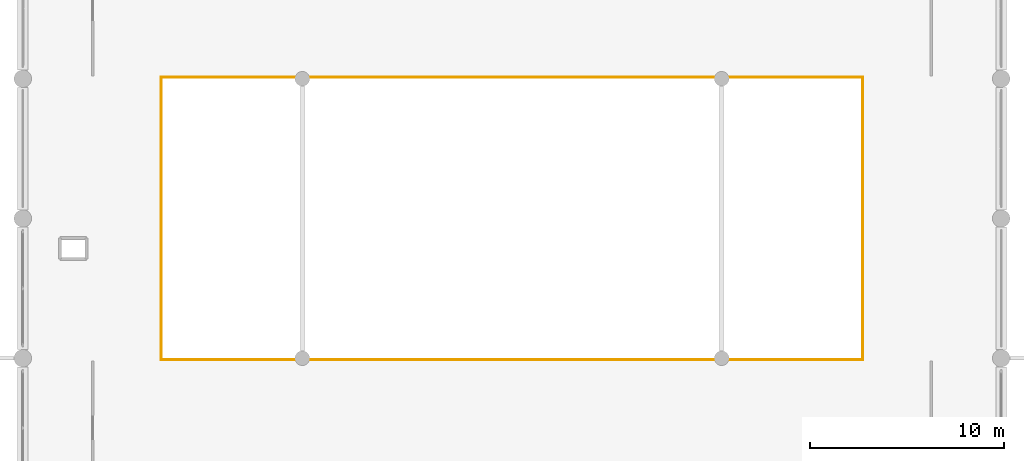
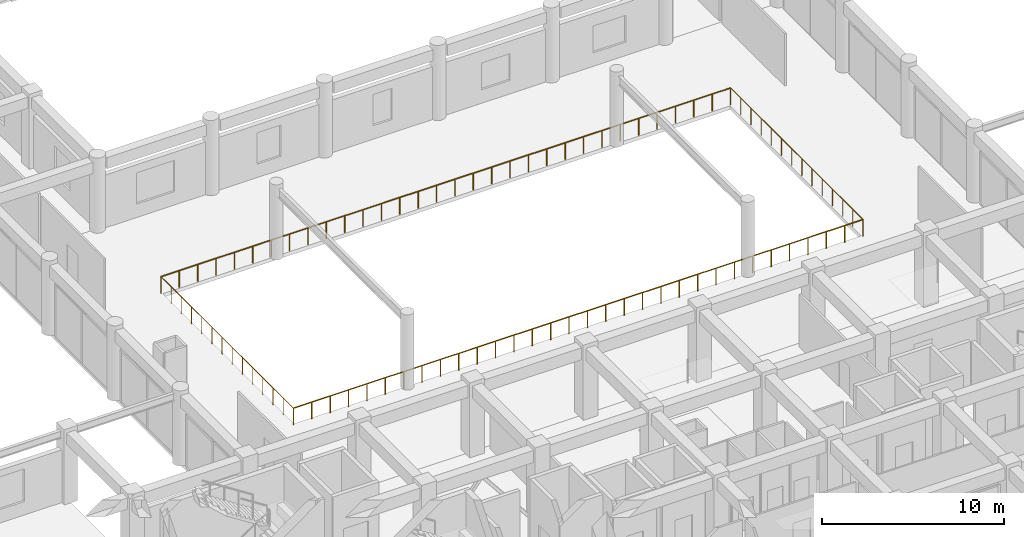
# One storey, part 52 of 54: 4 railings.
"""IFC4 building model written with IfcOpenShell, lengths in metres."""

from ifc_helpers import new_model, si_unit, direction, frame, origin, origin_2d, place, context, subcontext, project, spatial, circle, extrude, material, type_object, element, save


model = new_model("IFC4")

# Units and contexts
model_context = context("Model", 3, precision=1e-05, world=origin(), true_north=direction((0.0, 1.0)))
body_context = subcontext(model_context, "Body", "Model", "MODEL_VIEW")
ifc_project = project(units=[si_unit("LENGTHUNIT", "METRE"), si_unit("AREAUNIT", "SQUARE_METRE"), si_unit("VOLUMEUNIT", "CUBIC_METRE"), si_unit("PLANEANGLEUNIT", "RADIAN"), si_unit("MASSUNIT", "GRAM", prefix="KILO")], contexts=[model_context])

# Site, building, storey
site_placement = place(None, origin())
site = spatial("IfcSite", under=ifc_project, at=site_placement, CompositionType="ELEMENT")
building_placement = place(site_placement, origin())
building = spatial("IfcBuilding", under=site, at=building_placement, Name="Kazehaya Institute of Natural Sciences", CompositionType="ELEMENT")
storey_placement = place(building_placement, frame((0.0, 0.0, 5.39990234375)))
storey = spatial("IfcBuildingStorey", under=building, at=storey_placement, Name="L01", CompositionType="ELEMENT", Elevation=5.39990234375)

# Railings
ifc_material = material(Name="Structural steel SN490B", Category="steel")
railing_type = type_object("IfcRailingType", Name="RL-GUARD-VOID", PredefinedType="GUARDRAIL", material=ifc_material)
railing_1_placement = place(storey_placement, frame((68.919921875, 42.719970703125, 0.0)))
element("IfcRailing", 1, at=railing_1_placement, inside=storey, type_object=railing_type, Name="L01 void guard GRD-L01-033", PredefinedType="GUARDRAIL", context=body_context, shape_type="SweptSolid", body=[
    extrude(circle(Radius=0.02392578125, at=origin_2d()), frame((0.0, 0.0, 1.1259765625), z_axis=(1.0, 0.0, 0.0), x_axis=(0.0, 1.0, 0.0)), (0.0, 0.0, 1.0), 36.16015625),
    extrude(circle(Radius=0.02099609375, at=origin_2d()), origin(), (0.0, 0.0, 1.0), 1.101806640625),
    extrude(circle(Radius=0.02099609375, at=origin_2d()), frame((1.16650390625, 0.0, 0.0)), (0.0, 0.0, 1.0), 1.101806640625),
    extrude(circle(Radius=0.02099609375, at=origin_2d()), frame((2.3330078125, 0.0, 0.0)), (0.0, 0.0, 1.0), 1.101806640625),
    extrude(circle(Radius=0.02099609375, at=origin_2d()), frame((3.499267578125, 0.0, 0.0)), (0.0, 0.0, 1.0), 1.101806640625),
    extrude(circle(Radius=0.02099609375, at=origin_2d()), frame((4.665771484375, 0.0, 0.0)), (0.0, 0.0, 1.0), 1.101806640625),
    extrude(circle(Radius=0.02099609375, at=origin_2d()), frame((5.832275390625, 0.0, 0.0)), (0.0, 0.0, 1.0), 1.101806640625),
    extrude(circle(Radius=0.02099609375, at=origin_2d()), frame((6.998779296875, 0.0, 0.0)), (0.0, 0.0, 1.0), 1.101806640625),
    extrude(circle(Radius=0.02099609375, at=origin_2d()), frame((8.165283203125, 0.0, 0.0)), (0.0, 0.0, 1.0), 1.101806640625),
    extrude(circle(Radius=0.02099609375, at=origin_2d()), frame((9.33154296875, 0.0, 0.0)), (0.0, 0.0, 1.0), 1.101806640625),
    extrude(circle(Radius=0.02099609375, at=origin_2d()), frame((10.498046875, 0.0, 0.0)), (0.0, 0.0, 1.0), 1.101806640625),
    extrude(circle(Radius=0.02099609375, at=origin_2d()), frame((11.66455078125, 0.0, 0.0)), (0.0, 0.0, 1.0), 1.101806640625),
    extrude(circle(Radius=0.02099609375, at=origin_2d()), frame((12.8310546875, 0.0, 0.0)), (0.0, 0.0, 1.0), 1.101806640625),
    extrude(circle(Radius=0.02099609375, at=origin_2d()), frame((13.99755859375, 0.0, 0.0)), (0.0, 0.0, 1.0), 1.101806640625),
    extrude(circle(Radius=0.02099609375, at=origin_2d()), frame((15.163818359375, 0.0, 0.0)), (0.0, 0.0, 1.0), 1.101806640625),
    extrude(circle(Radius=0.02099609375, at=origin_2d()), frame((16.330322265625, 0.0, 0.0)), (0.0, 0.0, 1.0), 1.101806640625),
    extrude(circle(Radius=0.02099609375, at=origin_2d()), frame((17.496826171875, 0.0, 0.0)), (0.0, 0.0, 1.0), 1.101806640625),
    extrude(circle(Radius=0.02099609375, at=origin_2d()), frame((18.663330078125, 0.0, 0.0)), (0.0, 0.0, 1.0), 1.101806640625),
    extrude(circle(Radius=0.02099609375, at=origin_2d()), frame((19.829833984375, 0.0, 0.0)), (0.0, 0.0, 1.0), 1.101806640625),
    extrude(circle(Radius=0.02099609375, at=origin_2d()), frame((20.996337890625, 0.0, 0.0)), (0.0, 0.0, 1.0), 1.101806640625),
    extrude(circle(Radius=0.02099609375, at=origin_2d()), frame((22.16259765625, 0.0, 0.0)), (0.0, 0.0, 1.0), 1.101806640625),
    extrude(circle(Radius=0.02099609375, at=origin_2d()), frame((23.3291015625, 0.0, 0.0)), (0.0, 0.0, 1.0), 1.101806640625),
    extrude(circle(Radius=0.02099609375, at=origin_2d()), frame((24.49560546875, 0.0, 0.0)), (0.0, 0.0, 1.0), 1.101806640625),
    extrude(circle(Radius=0.02099609375, at=origin_2d()), frame((25.662109375, 0.0, 0.0)), (0.0, 0.0, 1.0), 1.101806640625),
    extrude(circle(Radius=0.02099609375, at=origin_2d()), frame((26.82861328125, 0.0, 0.0)), (0.0, 0.0, 1.0), 1.101806640625),
    extrude(circle(Radius=0.02099609375, at=origin_2d()), frame((27.994873046875, 0.0, 0.0)), (0.0, 0.0, 1.0), 1.101806640625),
    extrude(circle(Radius=0.02099609375, at=origin_2d()), frame((29.161376953125, 0.0, 0.0)), (0.0, 0.0, 1.0), 1.101806640625),
    extrude(circle(Radius=0.02099609375, at=origin_2d()), frame((30.327880859375, 0.0, 0.0)), (0.0, 0.0, 1.0), 1.101806640625),
    extrude(circle(Radius=0.02099609375, at=origin_2d()), frame((31.494384765625, 0.0, 0.0)), (0.0, 0.0, 1.0), 1.101806640625),
    extrude(circle(Radius=0.02099609375, at=origin_2d()), frame((32.660888671875, 0.0, 0.0)), (0.0, 0.0, 1.0), 1.101806640625),
    extrude(circle(Radius=0.02099609375, at=origin_2d()), frame((33.8271484375, 0.0, 0.0)), (0.0, 0.0, 1.0), 1.101806640625),
    extrude(circle(Radius=0.02099609375, at=origin_2d()), frame((34.99365234375, 0.0, 0.0)), (0.0, 0.0, 1.0), 1.101806640625),
    extrude(circle(Radius=0.02099609375, at=origin_2d()), frame((36.16015625, 0.0, 0.0)), (0.0, 0.0, 1.0), 1.101806640625),
])
railing_2_placement = place(storey_placement, frame((68.919921875, 57.280029296875, 0.0)))
element("IfcRailing", 2, at=railing_2_placement, inside=storey, type_object=railing_type, Name="L01 void guard GRD-L01-034", PredefinedType="GUARDRAIL", context=body_context, shape_type="SweptSolid", body=[
    extrude(circle(Radius=0.02392578125, at=origin_2d()), frame((0.0, 0.0, 1.1259765625), z_axis=(1.0, 0.0, 0.0), x_axis=(0.0, 1.0, 0.0)), (0.0, 0.0, 1.0), 36.16015625),
    extrude(circle(Radius=0.02099609375, at=origin_2d()), origin(), (0.0, 0.0, 1.0), 1.101806640625),
    extrude(circle(Radius=0.02099609375, at=origin_2d()), frame((1.16650390625, 0.0, 0.0)), (0.0, 0.0, 1.0), 1.101806640625),
    extrude(circle(Radius=0.02099609375, at=origin_2d()), frame((2.3330078125, 0.0, 0.0)), (0.0, 0.0, 1.0), 1.101806640625),
    extrude(circle(Radius=0.02099609375, at=origin_2d()), frame((3.499267578125, 0.0, 0.0)), (0.0, 0.0, 1.0), 1.101806640625),
    extrude(circle(Radius=0.02099609375, at=origin_2d()), frame((4.665771484375, 0.0, 0.0)), (0.0, 0.0, 1.0), 1.101806640625),
    extrude(circle(Radius=0.02099609375, at=origin_2d()), frame((5.832275390625, 0.0, 0.0)), (0.0, 0.0, 1.0), 1.101806640625),
    extrude(circle(Radius=0.02099609375, at=origin_2d()), frame((6.998779296875, 0.0, 0.0)), (0.0, 0.0, 1.0), 1.101806640625),
    extrude(circle(Radius=0.02099609375, at=origin_2d()), frame((8.165283203125, 0.0, 0.0)), (0.0, 0.0, 1.0), 1.101806640625),
    extrude(circle(Radius=0.02099609375, at=origin_2d()), frame((9.33154296875, 0.0, 0.0)), (0.0, 0.0, 1.0), 1.101806640625),
    extrude(circle(Radius=0.02099609375, at=origin_2d()), frame((10.498046875, 0.0, 0.0)), (0.0, 0.0, 1.0), 1.101806640625),
    extrude(circle(Radius=0.02099609375, at=origin_2d()), frame((11.66455078125, 0.0, 0.0)), (0.0, 0.0, 1.0), 1.101806640625),
    extrude(circle(Radius=0.02099609375, at=origin_2d()), frame((12.8310546875, 0.0, 0.0)), (0.0, 0.0, 1.0), 1.101806640625),
    extrude(circle(Radius=0.02099609375, at=origin_2d()), frame((13.99755859375, 0.0, 0.0)), (0.0, 0.0, 1.0), 1.101806640625),
    extrude(circle(Radius=0.02099609375, at=origin_2d()), frame((15.163818359375, 0.0, 0.0)), (0.0, 0.0, 1.0), 1.101806640625),
    extrude(circle(Radius=0.02099609375, at=origin_2d()), frame((16.330322265625, 0.0, 0.0)), (0.0, 0.0, 1.0), 1.101806640625),
    extrude(circle(Radius=0.02099609375, at=origin_2d()), frame((17.496826171875, 0.0, 0.0)), (0.0, 0.0, 1.0), 1.101806640625),
    extrude(circle(Radius=0.02099609375, at=origin_2d()), frame((18.663330078125, 0.0, 0.0)), (0.0, 0.0, 1.0), 1.101806640625),
    extrude(circle(Radius=0.02099609375, at=origin_2d()), frame((19.829833984375, 0.0, 0.0)), (0.0, 0.0, 1.0), 1.101806640625),
    extrude(circle(Radius=0.02099609375, at=origin_2d()), frame((20.996337890625, 0.0, 0.0)), (0.0, 0.0, 1.0), 1.101806640625),
    extrude(circle(Radius=0.02099609375, at=origin_2d()), frame((22.16259765625, 0.0, 0.0)), (0.0, 0.0, 1.0), 1.101806640625),
    extrude(circle(Radius=0.02099609375, at=origin_2d()), frame((23.3291015625, 0.0, 0.0)), (0.0, 0.0, 1.0), 1.101806640625),
    extrude(circle(Radius=0.02099609375, at=origin_2d()), frame((24.49560546875, 0.0, 0.0)), (0.0, 0.0, 1.0), 1.101806640625),
    extrude(circle(Radius=0.02099609375, at=origin_2d()), frame((25.662109375, 0.0, 0.0)), (0.0, 0.0, 1.0), 1.101806640625),
    extrude(circle(Radius=0.02099609375, at=origin_2d()), frame((26.82861328125, 0.0, 0.0)), (0.0, 0.0, 1.0), 1.101806640625),
    extrude(circle(Radius=0.02099609375, at=origin_2d()), frame((27.994873046875, 0.0, 0.0)), (0.0, 0.0, 1.0), 1.101806640625),
    extrude(circle(Radius=0.02099609375, at=origin_2d()), frame((29.161376953125, 0.0, 0.0)), (0.0, 0.0, 1.0), 1.101806640625),
    extrude(circle(Radius=0.02099609375, at=origin_2d()), frame((30.327880859375, 0.0, 0.0)), (0.0, 0.0, 1.0), 1.101806640625),
    extrude(circle(Radius=0.02099609375, at=origin_2d()), frame((31.494384765625, 0.0, 0.0)), (0.0, 0.0, 1.0), 1.101806640625),
    extrude(circle(Radius=0.02099609375, at=origin_2d()), frame((32.660888671875, 0.0, 0.0)), (0.0, 0.0, 1.0), 1.101806640625),
    extrude(circle(Radius=0.02099609375, at=origin_2d()), frame((33.8271484375, 0.0, 0.0)), (0.0, 0.0, 1.0), 1.101806640625),
    extrude(circle(Radius=0.02099609375, at=origin_2d()), frame((34.99365234375, 0.0, 0.0)), (0.0, 0.0, 1.0), 1.101806640625),
    extrude(circle(Radius=0.02099609375, at=origin_2d()), frame((36.16015625, 0.0, 0.0)), (0.0, 0.0, 1.0), 1.101806640625),
])
railing_3_placement = place(storey_placement, frame((68.919921875, 42.719970703125, 0.0)))
element("IfcRailing", 3, at=railing_3_placement, inside=storey, type_object=railing_type, Name="L01 void guard GRD-L01-035", PredefinedType="GUARDRAIL", context=body_context, shape_type="SweptSolid", body=[
    extrude(circle(Radius=0.02392578125, at=origin_2d()), frame((0.0, 0.0, 1.1259765625), z_axis=(0.0, 1.0, 0.0), x_axis=(-1.0, 0.0, 0.0)), (0.0, 0.0, 1.0), 14.56005859375),
    extrude(circle(Radius=0.02099609375, at=origin_2d()), origin(), (0.0, 0.0, 1.0), 1.101806640625),
    extrude(circle(Radius=0.02099609375, at=origin_2d()), frame((0.0, 1.1201171875, 0.0)), (0.0, 0.0, 1.0), 1.101806640625),
    extrude(circle(Radius=0.02099609375, at=origin_2d()), frame((0.0, 2.239990234375, 0.0)), (0.0, 0.0, 1.0), 1.101806640625),
    extrude(circle(Radius=0.02099609375, at=origin_2d()), frame((0.0, 3.360107421875, 0.0)), (0.0, 0.0, 1.0), 1.101806640625),
    extrude(circle(Radius=0.02099609375, at=origin_2d()), frame((0.0, 4.47998046875, 0.0)), (0.0, 0.0, 1.0), 1.101806640625),
    extrude(circle(Radius=0.02099609375, at=origin_2d()), frame((0.0, 5.60009765625, 0.0)), (0.0, 0.0, 1.0), 1.101806640625),
    extrude(circle(Radius=0.02099609375, at=origin_2d()), frame((0.0, 6.719970703125, 0.0)), (0.0, 0.0, 1.0), 1.101806640625),
    extrude(circle(Radius=0.02099609375, at=origin_2d()), frame((0.0, 7.840087890625, 0.0)), (0.0, 0.0, 1.0), 1.101806640625),
    extrude(circle(Radius=0.02099609375, at=origin_2d()), frame((0.0, 8.9599609375, 0.0)), (0.0, 0.0, 1.0), 1.101806640625),
    extrude(circle(Radius=0.02099609375, at=origin_2d()), frame((0.0, 10.080078125, 0.0)), (0.0, 0.0, 1.0), 1.101806640625),
    extrude(circle(Radius=0.02099609375, at=origin_2d()), frame((0.0, 11.199951171875, 0.0)), (0.0, 0.0, 1.0), 1.101806640625),
    extrude(circle(Radius=0.02099609375, at=origin_2d()), frame((0.0, 12.320068359375, 0.0)), (0.0, 0.0, 1.0), 1.101806640625),
    extrude(circle(Radius=0.02099609375, at=origin_2d()), frame((0.0, 13.43994140625, 0.0)), (0.0, 0.0, 1.0), 1.101806640625),
    extrude(circle(Radius=0.02099609375, at=origin_2d()), frame((0.0, 14.56005859375, 0.0)), (0.0, 0.0, 1.0), 1.101806640625),
])
railing_4_placement = place(storey_placement, frame((105.080078125, 42.719970703125, 0.0)))
element("IfcRailing", 4, at=railing_4_placement, inside=storey, type_object=railing_type, Name="L01 void guard GRD-L01-036", PredefinedType="GUARDRAIL", context=body_context, shape_type="SweptSolid", body=[
    extrude(circle(Radius=0.02392578125, at=origin_2d()), frame((0.0, 0.0, 1.1259765625), z_axis=(0.0, 1.0, 0.0), x_axis=(-1.0, 0.0, 0.0)), (0.0, 0.0, 1.0), 14.56005859375),
    extrude(circle(Radius=0.02099609375, at=origin_2d()), origin(), (0.0, 0.0, 1.0), 1.101806640625),
    extrude(circle(Radius=0.02099609375, at=origin_2d()), frame((0.0, 1.1201171875, 0.0)), (0.0, 0.0, 1.0), 1.101806640625),
    extrude(circle(Radius=0.02099609375, at=origin_2d()), frame((0.0, 2.239990234375, 0.0)), (0.0, 0.0, 1.0), 1.101806640625),
    extrude(circle(Radius=0.02099609375, at=origin_2d()), frame((0.0, 3.360107421875, 0.0)), (0.0, 0.0, 1.0), 1.101806640625),
    extrude(circle(Radius=0.02099609375, at=origin_2d()), frame((0.0, 4.47998046875, 0.0)), (0.0, 0.0, 1.0), 1.101806640625),
    extrude(circle(Radius=0.02099609375, at=origin_2d()), frame((0.0, 5.60009765625, 0.0)), (0.0, 0.0, 1.0), 1.101806640625),
    extrude(circle(Radius=0.02099609375, at=origin_2d()), frame((0.0, 6.719970703125, 0.0)), (0.0, 0.0, 1.0), 1.101806640625),
    extrude(circle(Radius=0.02099609375, at=origin_2d()), frame((0.0, 7.840087890625, 0.0)), (0.0, 0.0, 1.0), 1.101806640625),
    extrude(circle(Radius=0.02099609375, at=origin_2d()), frame((0.0, 8.9599609375, 0.0)), (0.0, 0.0, 1.0), 1.101806640625),
    extrude(circle(Radius=0.02099609375, at=origin_2d()), frame((0.0, 10.080078125, 0.0)), (0.0, 0.0, 1.0), 1.101806640625),
    extrude(circle(Radius=0.02099609375, at=origin_2d()), frame((0.0, 11.199951171875, 0.0)), (0.0, 0.0, 1.0), 1.101806640625),
    extrude(circle(Radius=0.02099609375, at=origin_2d()), frame((0.0, 12.320068359375, 0.0)), (0.0, 0.0, 1.0), 1.101806640625),
    extrude(circle(Radius=0.02099609375, at=origin_2d()), frame((0.0, 13.43994140625, 0.0)), (0.0, 0.0, 1.0), 1.101806640625),
    extrude(circle(Radius=0.02099609375, at=origin_2d()), frame((0.0, 14.56005859375, 0.0)), (0.0, 0.0, 1.0), 1.101806640625),
])

save(model, "model.ifc")
